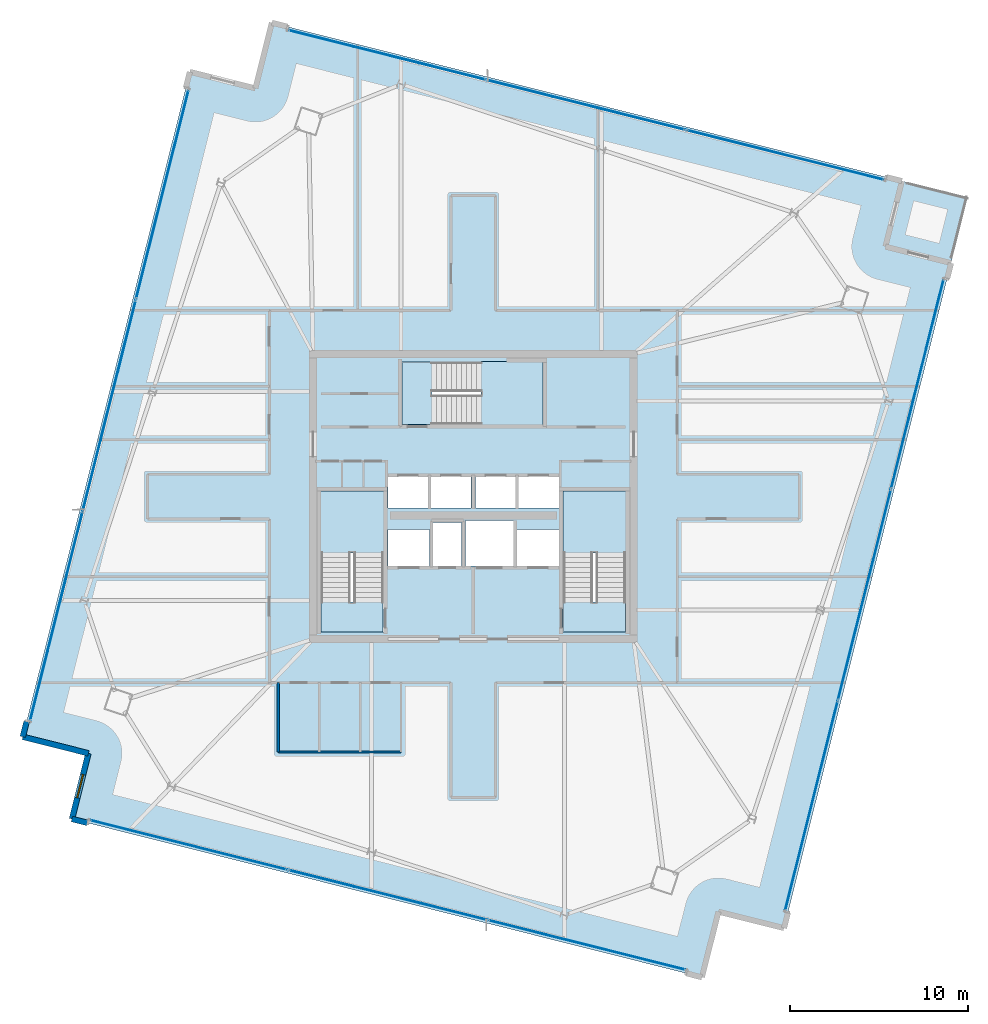
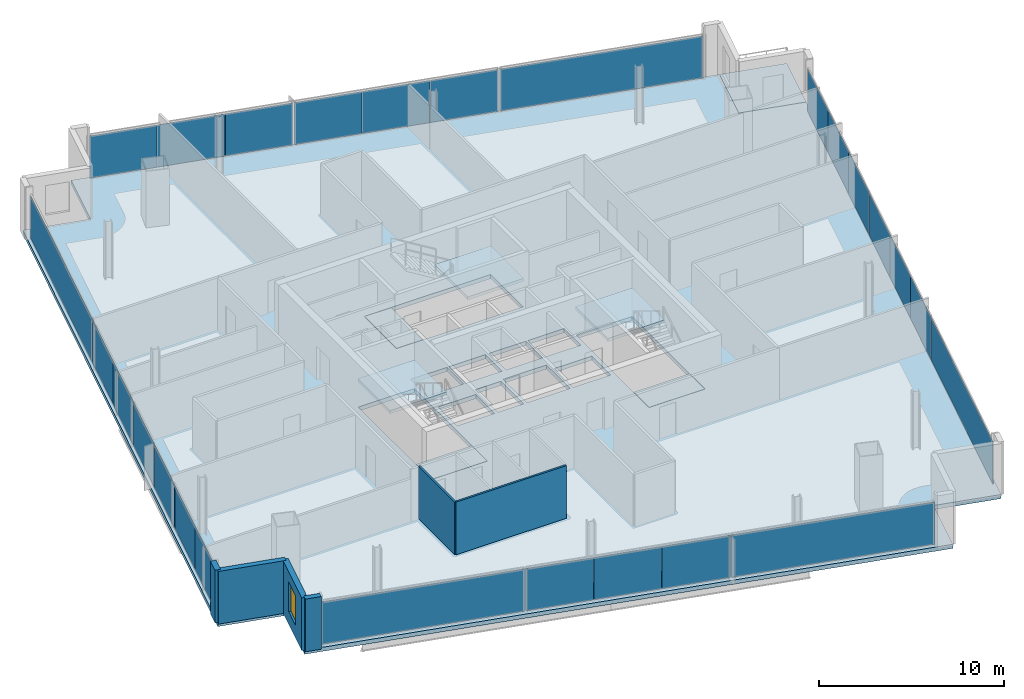
# One storey, part 19 of 28: 26 plates, 8 slabs, 6 walls, 1 window, 1 opening, 7 elements without a shape of their own.
"""IFC4 building model written with IfcOpenShell, lengths in metres."""

from ifc_helpers import new_model, si_unit, direction, frame, frame_2d, origin, origin_2d, place, context, subcontext, project, spatial, polyline, rectangle, outline, extrude, source, transform, mapped, material, layer, layer_set, type_object, element, fill, aggregate, save


model = new_model("IFC4")

# Units and contexts
model_context = context("Model", 3, precision=1e-05, world=origin(), true_north=direction((0.0, 1.0)))
body_context = subcontext(model_context, "Body", "Model", "MODEL_VIEW")
ifc_project = project(units=[si_unit("LENGTHUNIT", "METRE"), si_unit("AREAUNIT", "SQUARE_METRE"), si_unit("VOLUMEUNIT", "CUBIC_METRE"), si_unit("PLANEANGLEUNIT", "RADIAN"), si_unit("MASSUNIT", "GRAM", prefix="KILO")], contexts=[model_context])

# Site, building, storey
site_placement = place(None, origin())
site = spatial("IfcSite", under=ifc_project, at=site_placement, CompositionType="ELEMENT")
building_placement = place(site_placement, origin())
building = spatial("IfcBuilding", under=site, at=building_placement, Name="Haldenkirk Collegiate Tower", CompositionType="ELEMENT")
storey_placement = place(building_placement, frame((0.0, 0.0, 282.449951171875)))
storey = spatial("IfcBuildingStorey", under=building, at=storey_placement, Name="L71", CompositionType="ELEMENT", Elevation=282.449951171875)

# Slab
ifc_material_1 = material(Name="Concrete f'c 40 MPa", Category="concrete")
ifc_layer_1 = layer(ifc_material_1, 0.27001953125)
ifc_layer_set_1 = layer_set([ifc_layer_1], Name="Concrete f'c 40 MPa")
slab_type_1 = type_object("IfcSlabType", Name="SLB-FLR-270", PredefinedType="FLOOR", material=ifc_layer_set_1)
slab_1_placement = place(storey_placement, frame((0.0, 0.0, -0.27001953125)))
element("IfcSlab", 1, at=slab_1_placement, inside=storey, type_object=slab_type_1, Name="L71 composite structural floor slab", PredefinedType="FLOOR", context=body_context, shape_type="SweptSolid", body=[
    extrude(outline(polyline([(53.44775390625, 1.76953125), (62.826904296875, 39.109619140625), (59.141357421875, 40.035400390625), (60.067138671875, 43.720703125), (24.691162109375, 52.606689453125), (23.765380859375, 48.921142578125), (20.079833984375, 49.846923828125), (10.70068359375, 12.5068359375), (14.385986328125, 11.5810546875), (13.46044921875, 7.8955078125), (48.83642578125, -0.990234375), (49.76220703125, 2.6953125), (53.44775390625, 1.76953125)]), holes=[polyline([(27.449951171875, 18.39990234375), (30.949951171875, 18.39990234375), (30.949951171875, 26.300048828125), (27.449951171875, 26.300048828125), (27.449951171875, 18.39990234375)]), polyline([(41.050048828125, 18.39990234375), (44.550048828125, 18.39990234375), (44.550048828125, 26.300048828125), (41.050048828125, 26.300048828125), (41.050048828125, 18.39990234375)]), polyline([(32.0, 30.050048828125), (39.89990234375, 30.050048828125), (39.89990234375, 33.550048828125), (32.0, 33.550048828125), (32.0, 30.050048828125)]), polyline([(33.75, 22.10009765625), (35.35009765625, 22.10009765625), (35.35009765625, 24.550048828125), (33.75, 24.550048828125), (33.75, 22.10009765625)]), polyline([(31.199951171875, 25.35009765625), (33.47998046875, 25.35009765625), (33.47998046875, 27.14990234375), (31.199951171875, 27.14990234375), (31.199951171875, 25.35009765625)]), polyline([(33.60009765625, 25.35009765625), (35.8798828125, 25.35009765625), (35.8798828125, 27.14990234375), (33.60009765625, 27.14990234375), (33.60009765625, 25.35009765625)]), polyline([(36.1201171875, 25.35009765625), (38.39990234375, 25.35009765625), (38.39990234375, 27.14990234375), (36.1201171875, 27.14990234375), (36.1201171875, 25.35009765625)]), polyline([(38.52001953125, 25.35009765625), (40.800048828125, 25.35009765625), (40.800048828125, 27.14990234375), (38.52001953125, 27.14990234375), (38.52001953125, 25.35009765625)]), polyline([(31.199951171875, 22.10009765625), (33.550048828125, 22.10009765625), (33.550048828125, 24.14990234375), (31.199951171875, 24.14990234375), (31.199951171875, 22.10009765625)]), polyline([(38.449951171875, 22.10009765625), (40.800048828125, 22.10009765625), (40.800048828125, 24.14990234375), (38.449951171875, 24.14990234375), (38.449951171875, 22.10009765625)]), polyline([(35.550048828125, 22.10009765625), (38.25, 22.10009765625), (38.25, 24.64990234375), (35.550048828125, 24.64990234375), (35.550048828125, 22.10009765625)])]), origin(), (0.0, 0.0, 1.0), 0.27001953125),
])

# Stair, slab
stair_type = type_object("IfcStairType", Name="STR-DOGLEG-1650", PredefinedType="HALF_TURN_STAIR", material=ifc_material_1)
stair_1_placement = place(storey_placement, origin())
stair_1 = element("IfcStair", 2, at=stair_1_placement, inside=storey, type_object=stair_type, Name="L71 Core Exit Stair ST-1", PredefinedType="HALF_TURN_STAIR")
ifc_layer_2 = layer(ifc_material_1, 0.199951171875)
ifc_layer_set_2 = layer_set([ifc_layer_2], Name="Concrete f'c 40 MPa")
slab_type_2 = type_object("IfcSlabType", Name="SLB-LANDING-200", PredefinedType="LANDING", material=ifc_layer_set_2)
slab_2_placement = place(storey_placement, frame((0.0, 0.0, 1.675048828125)))
slab_2 = element("IfcSlab", 3, at=slab_2_placement, type_object=slab_type_2, Name="ST-1 landing 1", PredefinedType="LANDING", context=body_context, shape_type="SweptSolid", body=[
    extrude(outline(polyline([(30.97509765625, 22.824951171875), (27.425048828125, 22.824951171875), (27.425048828125, 26.324951171875), (30.97509765625, 26.324951171875), (30.97509765625, 22.824951171875)])), origin(), (0.0, 0.0, 1.0), 0.199951171875),
])
aggregate(stair_1, [slab_2])

stair_2_placement = place(storey_placement, origin())
stair_2 = element("IfcStair", 4, at=stair_2_placement, inside=storey, type_object=stair_type, Name="L71 Core Exit Stair ST-2", PredefinedType="HALF_TURN_STAIR")
slab_3_placement = place(storey_placement, frame((0.0, 0.0, 1.675048828125)))
slab_3 = element("IfcSlab", 5, at=slab_3_placement, type_object=slab_type_2, Name="ST-2 landing 1", PredefinedType="LANDING", context=body_context, shape_type="SweptSolid", body=[
    extrude(outline(polyline([(44.574951171875, 22.824951171875), (41.02490234375, 22.824951171875), (41.02490234375, 26.324951171875), (44.574951171875, 26.324951171875), (44.574951171875, 22.824951171875)])), origin(), (0.0, 0.0, 1.0), 0.199951171875),
])
aggregate(stair_2, [slab_3])

stair_3_placement = place(storey_placement, origin())
stair_3 = element("IfcStair", 6, at=stair_3_placement, inside=storey, type_object=stair_type, Name="L71 Core Exit Stair ST-3", PredefinedType="HALF_TURN_STAIR")
slab_4_placement = place(storey_placement, frame((0.0, 0.0, 1.675048828125)))
slab_4 = element("IfcSlab", 7, at=slab_4_placement, type_object=slab_type_2, Name="ST-3 landing 1", PredefinedType="LANDING", context=body_context, shape_type="SweptSolid", body=[
    extrude(outline(polyline([(36.425048828125, 30.02490234375), (36.425048828125, 33.574951171875), (39.925048828125, 33.574951171875), (39.925048828125, 30.02490234375), (36.425048828125, 30.02490234375)])), origin(), (0.0, 0.0, 1.0), 0.199951171875),
])
aggregate(stair_3, [slab_4])

# Slabs
ifc_layer_3 = layer(ifc_material_1, 0.25)
ifc_layer_set_3 = layer_set([ifc_layer_3], Name="Concrete f'c 40 MPa")
slab_type_3 = type_object("IfcSlabType", Name="SLB-STAIRLAND-250", PredefinedType="LANDING", material=ifc_layer_set_3)
slab_5_placement = place(storey_placement, frame((0.0, 0.0, -0.25)))
element("IfcSlab", 8, at=slab_5_placement, inside=storey, type_object=slab_type_3, Name="L71 stair ST1 structural floor landing slab", PredefinedType="LANDING", context=body_context, shape_type="SweptSolid", body=[
    extrude(outline(polyline([(27.4599609375, 18.409912109375), (30.93994140625, 18.409912109375), (30.93994140625, 20.080078125), (27.4599609375, 20.080078125), (27.4599609375, 18.409912109375)])), origin(), (0.0, 0.0, 1.0), 0.25),
])
slab_6_placement = place(storey_placement, frame((0.0, 0.0, -0.25)))
element("IfcSlab", 9, at=slab_6_placement, inside=storey, type_object=slab_type_3, Name="L71 stair ST2 structural floor landing slab", PredefinedType="LANDING", context=body_context, shape_type="SweptSolid", body=[
    extrude(outline(polyline([(41.06005859375, 18.409912109375), (44.5400390625, 18.409912109375), (44.5400390625, 20.080078125), (41.06005859375, 20.080078125), (41.06005859375, 18.409912109375)])), origin(), (0.0, 0.0, 1.0), 0.25),
])
slab_7_placement = place(storey_placement, frame((0.0, 0.0, -0.25)))
element("IfcSlab", 10, at=slab_7_placement, inside=storey, type_object=slab_type_3, Name="L71 stair ST3 structural floor landing slab", PredefinedType="LANDING", context=body_context, shape_type="SweptSolid", body=[
    extrude(outline(polyline([(32.010009765625, 30.06005859375), (33.679931640625, 30.06005859375), (33.679931640625, 33.5400390625), (32.010009765625, 33.5400390625), (32.010009765625, 30.06005859375)])), origin(), (0.0, 0.0, 1.0), 0.25),
])
ifc_layer_4 = layer(ifc_material_1, 0.22998046875)
ifc_layer_set_4 = layer_set([ifc_layer_4], Name="Concrete f'c 40 MPa")
slab_type_4 = type_object("IfcSlabType", Name="SLB-TERR-SPIRAL-230", PredefinedType="FLOOR", material=ifc_layer_set_4)
slab_8_placement = place(storey_placement, frame((0.0, 0.0, -0.22998046875)))
element("IfcSlab", 11, at=slab_8_placement, inside=storey, type_object=slab_type_4, Name="L71 spiralling corner terrace slab", PredefinedType="FLOOR", context=body_context, shape_type="SweptSolid", body=[
    extrude(outline(polyline([(62.826904296875, 39.109619140625), (63.752685546875, 42.794921875), (60.067138671875, 43.720703125), (59.141357421875, 40.035400390625), (62.826904296875, 39.109619140625)])), origin(), (0.0, 0.0, 1.0), 0.22998046875),
])

# Curtain wall, plates
ifc_material_2 = material(Name="Anodised architectural bronze aluminium", Category="aluminium")
curtain_wall_type_1 = type_object("IfcCurtainWallType", Name="CW-SYS2-CONCAVE", PredefinedType="USERDEFINED", material=ifc_material_2)
curtain_wall_1_placement = place(storey_placement, origin())
curtain_wall_1 = element("IfcCurtainWall", 12, at=curtain_wall_1_placement, inside=storey, type_object=curtain_wall_type_1, Name="L71 South concave recessed bronze-anodised curtain wall", ObjectType="UNITISED CURTAIN WALL", PredefinedType="USERDEFINED")
ifc_material_3 = material(Name="Low-E argon triple insulating glass", Category="glass")
ifc_layer_5 = layer(ifc_material_3, 0.0419921875)
ifc_layer_set_5 = layer_set([ifc_layer_5], Name="Low-E argon triple insulating glass")
plate_type_1 = type_object("IfcPlateType", Name="CW-PNL-02", PredefinedType="CURTAIN_PANEL", material=ifc_layer_set_5)
shared_shape_1 = source(origin(), body_context, "Body", "SweptSolid", [
    extrude(rectangle(XDim=4.02783203125, YDim=0.0419921875, at=origin_2d()), origin(), (0.0, 0.0, 1.0), 2.7880859375),
])
plate_1_placement = place(storey_placement, frame((61.924072265625, 36.254638671875, 0.074951171875), z_axis=(0.0, 0.0, 1.0), x_axis=(-0.243613856588, -0.96987230545, 0.0)))
plate_1 = element("IfcPlate", 13, at=plate_1_placement, type_object=plate_type_1, Name="CW-02 panel 1.1a", PredefinedType="CURTAIN_PANEL", context=body_context, shape_type="MappedRepresentation", body=[
    mapped(shared_shape_1, transform((0.0, 0.0, 0.0), x_axis=(1.0, 0.0, 0.0), y_axis=(0.0, 1.0, 0.0), z_axis=(0.0, 0.0, 1.0), scale=1.0)),
])
ifc_material_4 = material(Name="Bronze-anodised insulated aluminium spandrel panel", Category="aluminium")
ifc_layer_6 = layer(ifc_material_4, 0.0419921875)
ifc_layer_set_6 = layer_set([ifc_layer_6], Name="Bronze-anodised insulated aluminium spandrel panel")
plate_type_2 = type_object("IfcPlateType", Name="CW-SPD-02", PredefinedType="CURTAIN_PANEL", material=ifc_layer_set_6)
plate_2_placement = place(storey_placement, frame((59.952392578125, 28.4052734375, 0.074951171875), z_axis=(0.0, 0.0, 1.0), x_axis=(-0.243613856588, -0.96987230545, 0.0)))
plate_2 = element("IfcPlate", 14, at=plate_2_placement, type_object=plate_type_2, Name="CW-02 spandrel panel 1.1c", PredefinedType="CURTAIN_PANEL", context=body_context, shape_type="MappedRepresentation", body=[
    mapped(shared_shape_1, transform((0.0, 0.0, 0.0), x_axis=(1.0, 0.0, 0.0), y_axis=(0.0, 1.0, 0.0), z_axis=(0.0, 0.0, 1.0), scale=1.0)),
])
plate_3_placement = place(storey_placement, frame((57.962646484375, 20.4833984375, 0.074951171875), z_axis=(0.0, 0.0, 1.0), x_axis=(-0.243613856588, -0.96987230545, 0.0)))
plate_3 = element("IfcPlate", 15, at=plate_3_placement, type_object=plate_type_2, Name="CW-02 spandrel panel 2.1b", PredefinedType="CURTAIN_PANEL", context=body_context, shape_type="MappedRepresentation", body=[
    mapped(shared_shape_1, transform((0.0, 0.0, 0.0), x_axis=(1.0, 0.0, 0.0), y_axis=(0.0, 1.0, 0.0), z_axis=(0.0, 0.0, 1.0), scale=1.0)),
])
shared_shape_2 = source(origin(), body_context, "Body", "SweptSolid", [
    extrude(rectangle(XDim=4.015380859375, YDim=0.0419921875, at=origin_2d()), origin(), (0.0, 0.0, 1.0), 2.7880859375),
])
plate_4_placement = place(storey_placement, frame((60.938232421875, 32.329833984375, 0.074951171875), z_axis=(0.0, 0.0, 1.0), x_axis=(-0.243613856588, -0.96987230545, 0.0)))
plate_4 = element("IfcPlate", 16, at=plate_4_placement, type_object=plate_type_1, Name="CW-02 panel 1.1b", PredefinedType="CURTAIN_PANEL", context=body_context, shape_type="MappedRepresentation", body=[
    mapped(shared_shape_2, transform((0.0, 0.0, 0.0), x_axis=(1.0, 0.0, 0.0), y_axis=(0.0, 1.0, 0.0), z_axis=(0.0, 0.0, 1.0), scale=1.0)),
])
shared_shape_3 = source(origin(), body_context, "Body", "SweptSolid", [
    extrude(rectangle(XDim=4.040283203125, YDim=0.0419921875, at=origin_2d()), origin(), (0.0, 0.0, 1.0), 2.7880859375),
])
plate_5_placement = place(storey_placement, frame((58.951416015625, 24.420166015625, 0.074951171875), z_axis=(0.0, 0.0, 1.0), x_axis=(-0.243613856588, -0.96987230545, 0.0)))
plate_5 = element("IfcPlate", 17, at=plate_5_placement, type_object=plate_type_2, Name="CW-02 spandrel panel 2.1a", PredefinedType="CURTAIN_PANEL", context=body_context, shape_type="MappedRepresentation", body=[
    mapped(shared_shape_3, transform((0.0, 0.0, 0.0), x_axis=(1.0, 0.0, 0.0), y_axis=(0.0, 1.0, 0.0), z_axis=(0.0, 0.0, 1.0), scale=1.0)),
])
plate_6_placement = place(storey_placement, frame((56.973876953125, 16.546630859375, 0.074951171875), z_axis=(0.0, 0.0, 1.0), x_axis=(-0.243613856588, -0.96987230545, 0.0)))
plate_6 = element("IfcPlate", 18, at=plate_6_placement, type_object=plate_type_2, Name="CW-02 spandrel panel 2.1c", PredefinedType="CURTAIN_PANEL", context=body_context, shape_type="MappedRepresentation", body=[
    mapped(shared_shape_3, transform((0.0, 0.0, 0.0), x_axis=(1.0, 0.0, 0.0), y_axis=(0.0, 1.0, 0.0), z_axis=(0.0, 0.0, 1.0), scale=1.0)),
])

curtain_wall_type_2 = type_object("IfcCurtainWallType", Name="CW-SYS1B-CONVEX-HI", PredefinedType="USERDEFINED", material=ifc_material_2)
curtain_wall_2_placement = place(storey_placement, origin())
curtain_wall_2 = element("IfcCurtainWall", 19, at=curtain_wall_2_placement, inside=storey, type_object=curtain_wall_type_2, Name="L71 Upper tower high-wind convex bronze unitised curtain wall", ObjectType="UNITISED CURTAIN WALL", PredefinedType="USERDEFINED")
ifc_layer_7 = layer(ifc_material_3, 0.048095703125)
ifc_layer_set_7 = layer_set([ifc_layer_7], Name="Low-E argon triple insulating glass")
plate_type_3 = type_object("IfcPlateType", Name="CW-PNL-1B", PredefinedType="CURTAIN_PANEL", material=ifc_layer_set_7)
shared_shape_4 = source(origin(), body_context, "Body", "SweptSolid", [
    extrude(rectangle(XDim=3.7978515625, YDim=0.048095703125, at=origin_2d()), origin(), (0.0, 0.0, 1.0), 2.76806640625),
])
plate_7_placement = place(storey_placement, frame((27.444091796875, 51.7294921875, 0.0849609375), z_axis=(0.0, 0.0, 1.0), x_axis=(0.969872849103, -0.243611692191, 0.0)))
plate_7 = element("IfcPlate", 20, at=plate_7_placement, type_object=plate_type_3, Name="CW-1B panel 1.1a", PredefinedType="CURTAIN_PANEL", context=body_context, shape_type="MappedRepresentation", body=[
    mapped(shared_shape_4, transform((0.0, 0.0, 0.0), x_axis=(1.0, 0.0, 0.0), y_axis=(0.0, 1.0, 0.0), z_axis=(0.0, 0.0, 1.0), scale=1.0)),
])
ifc_layer_8 = layer(ifc_material_4, 0.048095703125)
ifc_layer_set_8 = layer_set([ifc_layer_8], Name="Bronze-anodised insulated aluminium spandrel panel")
plate_type_4 = type_object("IfcPlateType", Name="CW-SPD-1B", PredefinedType="CURTAIN_PANEL", material=ifc_layer_set_8)
plate_8_placement = place(storey_placement, frame((34.847412109375, 49.869873046875, 0.0849609375), z_axis=(0.0, 0.0, 1.0), x_axis=(0.969872849103, -0.243611692191, 0.0)))
plate_8 = element("IfcPlate", 21, at=plate_8_placement, type_object=plate_type_4, Name="CW-1B spandrel panel 1.1c", PredefinedType="CURTAIN_PANEL", context=body_context, shape_type="MappedRepresentation", body=[
    mapped(shared_shape_4, transform((0.0, 0.0, 0.0), x_axis=(1.0, 0.0, 0.0), y_axis=(0.0, 1.0, 0.0), z_axis=(0.0, 0.0, 1.0), scale=1.0)),
])
shared_shape_5 = source(origin(), body_context, "Body", "SweptSolid", [
    extrude(rectangle(XDim=3.785400390625, YDim=0.048095703125, at=origin_2d()), origin(), (0.0, 0.0, 1.0), 2.76806640625),
])
plate_9_placement = place(storey_placement, frame((31.145751953125, 50.7998046875, 0.0849609375), z_axis=(0.0, 0.0, 1.0), x_axis=(0.969872849103, -0.243611692191, 0.0)))
plate_9 = element("IfcPlate", 22, at=plate_9_placement, type_object=plate_type_3, Name="CW-1B panel 1.1b", PredefinedType="CURTAIN_PANEL", context=body_context, shape_type="MappedRepresentation", body=[
    mapped(shared_shape_5, transform((0.0, 0.0, 0.0), x_axis=(1.0, 0.0, 0.0), y_axis=(0.0, 1.0, 0.0), z_axis=(0.0, 0.0, 1.0), scale=1.0)),
])
shared_shape_6 = source(origin(), body_context, "Body", "SweptSolid", [
    extrude(rectangle(XDim=3.81201171875, YDim=0.048095703125, at=origin_2d()), origin(), (0.0, 0.0, 1.0), 2.76806640625),
])
plate_10_placement = place(storey_placement, frame((38.619873046875, 48.92236328125, 0.0849609375), z_axis=(0.0, 0.0, 1.0), x_axis=(0.969872849103, -0.243611692191, 0.0)))
plate_10 = element("IfcPlate", 23, at=plate_10_placement, type_object=plate_type_4, Name="CW-1B spandrel panel 2.1a", PredefinedType="CURTAIN_PANEL", context=body_context, shape_type="MappedRepresentation", body=[
    mapped(shared_shape_6, transform((0.0, 0.0, 0.0), x_axis=(1.0, 0.0, 0.0), y_axis=(0.0, 1.0, 0.0), z_axis=(0.0, 0.0, 1.0), scale=1.0)),
])
plate_11_placement = place(storey_placement, frame((46.050537109375, 47.055908203125, 0.0849609375), z_axis=(0.0, 0.0, 1.0), x_axis=(0.969872849103, -0.243611692191, 0.0)))
plate_11 = element("IfcPlate", 24, at=plate_11_placement, type_object=plate_type_3, Name="CW-1B panel 2.1c", PredefinedType="CURTAIN_PANEL", context=body_context, shape_type="MappedRepresentation", body=[
    mapped(shared_shape_6, transform((0.0, 0.0, 0.0), x_axis=(1.0, 0.0, 0.0), y_axis=(0.0, 1.0, 0.0), z_axis=(0.0, 0.0, 1.0), scale=1.0)),
])

curtain_wall_3_placement = place(storey_placement, origin())
curtain_wall_3 = element("IfcCurtainWall", 25, at=curtain_wall_3_placement, inside=storey, type_object=curtain_wall_type_2, Name="L71 Upper tower high-wind convex bronze unitised curtain wall", ObjectType="UNITISED CURTAIN WALL", PredefinedType="USERDEFINED")
plate_12_placement = place(storey_placement, frame((34.90771484375, 2.694091796875, 0.0849609375), z_axis=(0.0, 0.0, 1.0), x_axis=(-0.969873020252, 0.24361101081, 0.0)))
plate_12 = element("IfcPlate", 26, at=plate_12_placement, type_object=plate_type_4, Name="CW-1B spandrel panel 2.1a", PredefinedType="CURTAIN_PANEL", context=body_context, shape_type="MappedRepresentation", body=[
    mapped(shared_shape_6, transform((0.0, 0.0, 0.0), x_axis=(1.0, 0.0, 0.0), y_axis=(0.0, 1.0, 0.0), z_axis=(0.0, 0.0, 1.0), scale=1.0)),
])
plate_13_placement = place(storey_placement, frame((27.47705078125, 4.560302734375, 0.0849609375), z_axis=(0.0, 0.0, 1.0), x_axis=(-0.969873020252, 0.24361101081, 0.0)))
plate_13 = element("IfcPlate", 27, at=plate_13_placement, type_object=plate_type_4, Name="CW-1B spandrel panel 2.1c", PredefinedType="CURTAIN_PANEL", context=body_context, shape_type="MappedRepresentation", body=[
    mapped(shared_shape_6, transform((0.0, 0.0, 0.0), x_axis=(1.0, 0.0, 0.0), y_axis=(0.0, 1.0, 0.0), z_axis=(0.0, 0.0, 1.0), scale=1.0)),
])

# Plate
shared_shape_7 = source(origin(), body_context, "Body", "SweptSolid", [
    extrude(rectangle(XDim=3.79931640625, YDim=0.048095703125, at=origin_2d()), origin(), (0.0, 0.0, 1.0), 2.76806640625),
])
plate_14_placement = place(storey_placement, frame((42.335205078125, 47.989013671875, 0.0849609375), z_axis=(0.0, 0.0, 1.0), x_axis=(0.969872849103, -0.243611692191, 0.0)))
plate_14 = element("IfcPlate", 28, at=plate_14_placement, type_object=plate_type_4, Name="CW-1B spandrel panel 2.1b", PredefinedType="CURTAIN_PANEL", context=body_context, shape_type="MappedRepresentation", body=[
    mapped(shared_shape_7, transform((0.0, 0.0, 0.0), x_axis=(1.0, 0.0, 0.0), y_axis=(0.0, 1.0, 0.0), z_axis=(0.0, 0.0, 1.0), scale=1.0)),
])

plate_15_placement = place(storey_placement, frame((31.1923828125, 3.627197265625, 0.0849609375), z_axis=(0.0, 0.0, 1.0), x_axis=(-0.969873020252, 0.24361101081, 0.0)))
plate_15 = element("IfcPlate", 29, at=plate_15_placement, type_object=plate_type_4, Name="CW-1B spandrel panel 2.1b", PredefinedType="CURTAIN_PANEL", context=body_context, shape_type="MappedRepresentation", body=[
    mapped(shared_shape_7, transform((0.0, 0.0, 0.0), x_axis=(1.0, 0.0, 0.0), y_axis=(0.0, 1.0, 0.0), z_axis=(0.0, 0.0, 1.0), scale=1.0)),
])

# Curtain wall, plates
curtain_wall_4_placement = place(storey_placement, origin())
curtain_wall_4 = element("IfcCurtainWall", 30, at=curtain_wall_4_placement, inside=storey, type_object=curtain_wall_type_2, Name="L71 Upper tower high-wind convex bronze unitised curtain wall", ObjectType="UNITISED CURTAIN WALL", PredefinedType="USERDEFINED")
shared_shape_8 = source(origin(), body_context, "Body", "SweptSolid", [
    extrude(rectangle(XDim=4.022705078125, YDim=0.048095703125, at=origin_2d()), origin(), (0.0, 0.0, 1.0), 2.76806640625),
])
plate_16_placement = place(storey_placement, frame((11.605224609375, 15.368896484375, 0.0849609375), z_axis=(0.0, 0.0, 1.0), x_axis=(0.243613212786, 0.969872467161, 0.0)))
plate_16 = element("IfcPlate", 31, at=plate_16_placement, type_object=plate_type_3, Name="CW-1B panel 1.1a", PredefinedType="CURTAIN_PANEL", context=body_context, shape_type="MappedRepresentation", body=[
    mapped(shared_shape_8, transform((0.0, 0.0, 0.0), x_axis=(1.0, 0.0, 0.0), y_axis=(0.0, 1.0, 0.0), z_axis=(0.0, 0.0, 1.0), scale=1.0)),
])
plate_17_placement = place(storey_placement, frame((13.57421875, 23.20849609375, 0.0849609375), z_axis=(0.0, 0.0, 1.0), x_axis=(0.243613212786, 0.969872467161, 0.0)))
plate_17 = element("IfcPlate", 32, at=plate_17_placement, type_object=plate_type_4, Name="CW-1B spandrel panel 1.1c", PredefinedType="CURTAIN_PANEL", context=body_context, shape_type="MappedRepresentation", body=[
    mapped(shared_shape_8, transform((0.0, 0.0, 0.0), x_axis=(1.0, 0.0, 0.0), y_axis=(0.0, 1.0, 0.0), z_axis=(0.0, 0.0, 1.0), scale=1.0)),
])
shared_shape_9 = source(origin(), body_context, "Body", "SweptSolid", [
    extrude(rectangle(XDim=4.01025390625, YDim=0.048095703125, at=origin_2d()), origin(), (0.0, 0.0, 1.0), 2.76806640625),
])
plate_18_placement = place(storey_placement, frame((12.58984375, 19.288818359375, 0.0849609375), z_axis=(0.0, 0.0, 1.0), x_axis=(0.243613212786, 0.969872467161, 0.0)))
plate_18 = element("IfcPlate", 33, at=plate_18_placement, type_object=plate_type_3, Name="CW-1B panel 1.1b", PredefinedType="CURTAIN_PANEL", context=body_context, shape_type="MappedRepresentation", body=[
    mapped(shared_shape_9, transform((0.0, 0.0, 0.0), x_axis=(1.0, 0.0, 0.0), y_axis=(0.0, 1.0, 0.0), z_axis=(0.0, 0.0, 1.0), scale=1.0)),
])
shared_shape_10 = source(origin(), body_context, "Body", "SweptSolid", [
    extrude(rectangle(XDim=4.036865234375, YDim=0.048095703125, at=origin_2d()), origin(), (0.0, 0.0, 1.0), 2.76806640625),
])
plate_19_placement = place(storey_placement, frame((14.576904296875, 27.199462890625, 0.0849609375), z_axis=(0.0, 0.0, 1.0), x_axis=(0.243613212786, 0.969872467161, 0.0)))
plate_19 = element("IfcPlate", 34, at=plate_19_placement, type_object=plate_type_4, Name="CW-1B spandrel panel 2.1a", PredefinedType="CURTAIN_PANEL", context=body_context, shape_type="MappedRepresentation", body=[
    mapped(shared_shape_10, transform((0.0, 0.0, 0.0), x_axis=(1.0, 0.0, 0.0), y_axis=(0.0, 1.0, 0.0), z_axis=(0.0, 0.0, 1.0), scale=1.0)),
])
plate_20_placement = place(storey_placement, frame((16.552734375, 35.06640625, 0.0849609375), z_axis=(0.0, 0.0, 1.0), x_axis=(0.243613212786, 0.969872467161, 0.0)))
plate_20 = element("IfcPlate", 35, at=plate_20_placement, type_object=plate_type_3, Name="CW-1B panel 2.1c", PredefinedType="CURTAIN_PANEL", context=body_context, shape_type="MappedRepresentation", body=[
    mapped(shared_shape_10, transform((0.0, 0.0, 0.0), x_axis=(1.0, 0.0, 0.0), y_axis=(0.0, 1.0, 0.0), z_axis=(0.0, 0.0, 1.0), scale=1.0)),
])
shared_shape_11 = source(origin(), body_context, "Body", "SweptSolid", [
    extrude(rectangle(XDim=4.0244140625, YDim=0.048095703125, at=origin_2d()), origin(), (0.0, 0.0, 1.0), 2.76806640625),
])
plate_21_placement = place(storey_placement, frame((15.564697265625, 31.133056640625, 0.0849609375), z_axis=(0.0, 0.0, 1.0), x_axis=(0.243613212786, 0.969872467161, 0.0)))
plate_21 = element("IfcPlate", 36, at=plate_21_placement, type_object=plate_type_4, Name="CW-1B spandrel panel 2.1b", PredefinedType="CURTAIN_PANEL", context=body_context, shape_type="MappedRepresentation", body=[
    mapped(shared_shape_11, transform((0.0, 0.0, 0.0), x_axis=(1.0, 0.0, 0.0), y_axis=(0.0, 1.0, 0.0), z_axis=(0.0, 0.0, 1.0), scale=1.0)),
])

# Plate
shared_shape_12 = source(origin(), body_context, "Body", "SweptSolid", [
    extrude(rectangle(XDim=12.120849609375, YDim=0.0419921875, at=origin_2d()), origin(), (0.0, 0.0, 1.0), 2.7880859375),
])
plate_22_placement = place(storey_placement, frame((54.987060546875, 8.636962890625, 0.074951171875), z_axis=(0.0, 0.0, 1.0), x_axis=(-0.243613856588, -0.96987230545, 0.0)))
plate_22 = element("IfcPlate", 37, at=plate_22_placement, type_object=plate_type_1, Name="CW-02 panel 3.1", PredefinedType="CURTAIN_PANEL", context=body_context, shape_type="MappedRepresentation", body=[
    mapped(shared_shape_12, transform((0.0, 0.0, 0.0), x_axis=(1.0, 0.0, 0.0), y_axis=(0.0, 1.0, 0.0), z_axis=(0.0, 0.0, 1.0), scale=1.0)),
])

aggregate(curtain_wall_1, [plate_1, plate_4, plate_2, plate_5, plate_3, plate_6, plate_22])

shared_shape_13 = source(origin(), body_context, "Body", "SweptSolid", [
    extrude(rectangle(XDim=11.430908203125, YDim=0.048095703125, at=origin_2d()), origin(), (0.0, 0.0, 1.0), 2.76806640625),
])
plate_23_placement = place(storey_placement, frame((42.3818359375, 0.816650390625, 0.0849609375), z_axis=(0.0, 0.0, 1.0), x_axis=(-0.969873020252, 0.24361101081, 0.0)))
plate_23 = element("IfcPlate", 38, at=plate_23_placement, type_object=plate_type_3, Name="CW-1B panel 1.1", PredefinedType="CURTAIN_PANEL", context=body_context, shape_type="MappedRepresentation", body=[
    mapped(shared_shape_13, transform((0.0, 0.0, 0.0), x_axis=(1.0, 0.0, 0.0), y_axis=(0.0, 1.0, 0.0), z_axis=(0.0, 0.0, 1.0), scale=1.0)),
])

plate_24_placement = place(storey_placement, frame((20.0029296875, 6.437744140625, 0.0849609375), z_axis=(0.0, 0.0, 1.0), x_axis=(-0.969873020252, 0.24361101081, 0.0)))
plate_24 = element("IfcPlate", 39, at=plate_24_placement, type_object=plate_type_3, Name="CW-1B panel 3.1", PredefinedType="CURTAIN_PANEL", context=body_context, shape_type="MappedRepresentation", body=[
    mapped(shared_shape_13, transform((0.0, 0.0, 0.0), x_axis=(1.0, 0.0, 0.0), y_axis=(0.0, 1.0, 0.0), z_axis=(0.0, 0.0, 1.0), scale=1.0)),
])

aggregate(curtain_wall_3, [plate_23, plate_12, plate_15, plate_13, plate_24])

shared_shape_14 = source(origin(), body_context, "Body", "SweptSolid", [
    extrude(rectangle(XDim=12.105712890625, YDim=0.048095703125, at=origin_2d()), origin(), (0.0, 0.0, 1.0), 2.76806640625),
])
plate_25_placement = place(storey_placement, frame((18.539794921875, 42.97705078125, 0.0849609375), z_axis=(0.0, 0.0, 1.0), x_axis=(0.243613212786, 0.969872467161, 0.0)))
plate_25 = element("IfcPlate", 40, at=plate_25_placement, type_object=plate_type_3, Name="CW-1B panel 3.1", PredefinedType="CURTAIN_PANEL", context=body_context, shape_type="MappedRepresentation", body=[
    mapped(shared_shape_14, transform((0.0, 0.0, 0.0), x_axis=(1.0, 0.0, 0.0), y_axis=(0.0, 1.0, 0.0), z_axis=(0.0, 0.0, 1.0), scale=1.0)),
])

aggregate(curtain_wall_4, [plate_16, plate_18, plate_17, plate_19, plate_21, plate_20, plate_25])

shared_shape_15 = source(origin(), body_context, "Body", "SweptSolid", [
    extrude(rectangle(XDim=11.4306640625, YDim=0.048095703125, at=origin_2d()), origin(), (0.0, 0.0, 1.0), 2.76806640625),
])
plate_26_placement = place(storey_placement, frame((53.524658203125, 45.178466796875, 0.0849609375), z_axis=(0.0, 0.0, 1.0), x_axis=(0.969872849103, -0.243611692191, 0.0)))
plate_26 = element("IfcPlate", 41, at=plate_26_placement, type_object=plate_type_3, Name="CW-1B panel 3.1", PredefinedType="CURTAIN_PANEL", context=body_context, shape_type="MappedRepresentation", body=[
    mapped(shared_shape_15, transform((0.0, 0.0, 0.0), x_axis=(1.0, 0.0, 0.0), y_axis=(0.0, 1.0, 0.0), z_axis=(0.0, 0.0, 1.0), scale=1.0)),
])

aggregate(curtain_wall_2, [plate_7, plate_9, plate_8, plate_10, plate_14, plate_11, plate_26])

# Walls
ifc_material_5 = material(Name="Precast concrete f'c 40 MPa", Category="concrete")
ifc_layer_9 = layer(ifc_material_5, 0.320068359375)
ifc_layer_set_9 = layer_set([ifc_layer_9], Name="Precast concrete f'c 40 MPa")
wall_type_1 = type_object("IfcWallType", Name="WL-EXT-TWR-320", PredefinedType="STANDARD", material=ifc_layer_set_9)
wall_1_placement = place(storey_placement, frame((10.70068359375, 12.5068359375, 0.0), z_axis=(0.0, 0.0, 1.0), x_axis=(0.24362064321, 0.969870600751, 0.0)))
element("IfcWall", 42, at=wall_1_placement, inside=storey, type_object=wall_type_1, Name="L71 precast corner pier NL", PredefinedType="STANDARD", context=body_context, shape_type="SweptSolid", body=[
    extrude(rectangle(XDim=0.89990234375, YDim=0.320068359375, at=frame_2d((0.449951171875, 0.0))), origin(), (0.0, 0.0, 1.0), 3.47998046875),
])
wall_2_placement = place(storey_placement, frame((14.385986328125, 11.5810546875, 0.0), z_axis=(0.0, 0.0, 1.0), x_axis=(-0.969865971899, 0.243639070251, 0.0)))
element("IfcWall", 43, at=wall_2_placement, inside=storey, type_object=wall_type_1, Name="L71 bronze precast notch wall 08", PredefinedType="STANDARD", context=body_context, shape_type="SweptSolid", body=[
    extrude(rectangle(XDim=3.7998046875, YDim=0.320068359375, at=frame_2d((1.89990234375, 0.0))), origin(), (0.0, 0.0, 1.0), 3.47998046875),
])

# Wall, opening, window
wall_3_placement = place(storey_placement, frame((13.46044921875, 7.8955078125, 0.0), z_axis=(0.0, 0.0, 1.0), x_axis=(0.243563453868, 0.969884964282, 0.0)))
wall_3 = element("IfcWall", 44, at=wall_3_placement, inside=storey, type_object=wall_type_1, Name="L71 bronze precast notch wall 09", PredefinedType="STANDARD", context=body_context, shape_type="SweptSolid", body=[
    extrude(rectangle(XDim=3.800048828125, YDim=0.320068359375, at=frame_2d((1.89990234375, 0.0))), origin(), (0.0, 0.0, 1.0), 3.47998046875),
])
opening_placement = place(wall_3_placement, frame((1.22509765625, 0.0, 0.85009765625)))
opening = element("IfcOpeningElement", 45, at=opening_placement, cuts=wall_3, Name="Opening W-07", PredefinedType="OPENING", context=body_context, shape_type="SweptSolid", body=[
    extrude(rectangle(XDim=1.35009765625, YDim=1.949951171875, at=frame_2d((0.675048828125, 0.97509765625))), frame((0.0, 0.169921875, 0.0), z_axis=(0.0, -1.0, 0.0), x_axis=(1.0, 0.0, 0.0)), (0.0, 0.0, 1.0), 0.340087890625),
])
ifc_layer_10 = layer(ifc_material_3, 0.090087890625)
ifc_layer_set_10 = layer_set([ifc_layer_10], Name="Low-E argon triple insulating glass")
window_type = type_object("IfcWindowType", Name="WN-Z5-1350X1950", PartitioningType="SINGLE_PANEL", PredefinedType="WINDOW", material=ifc_layer_set_10)
window_placement = place(opening_placement, origin())
window = element("IfcWindow", 46, at=window_placement, inside=storey, type_object=window_type, Name="L71 precast-frame academic window 8", OverallHeight=1.949951171875, OverallWidth=1.35009765625, PartitioningType="SINGLE_PANEL", PredefinedType="WINDOW", context=body_context, shape_type="SweptSolid", body=[
    extrude(rectangle(XDim=1.35009765625, YDim=1.949951171875, at=frame_2d((0.675048828125, 0.97509765625))), frame((0.0, 0.030029296875, 0.0), z_axis=(0.0, -1.0, 0.0), x_axis=(1.0, 0.0, 0.0)), (0.0, 0.0, 1.0), 0.06005859375),
])
fill(opening, window)

# Walls
wall_4_placement = place(storey_placement, frame((14.333251953125, 7.67626953125, 0.0), z_axis=(0.0, 0.0, 1.0), x_axis=(-0.969870600751, 0.24362064321, 0.0)))
element("IfcWall", 47, at=wall_4_placement, inside=storey, type_object=wall_type_1, Name="L71 precast corner pier WR", PredefinedType="STANDARD", context=body_context, shape_type="SweptSolid", body=[
    extrude(rectangle(XDim=0.89990234375, YDim=0.320068359375, at=frame_2d((0.449951171875, 0.0))), origin(), (0.0, 0.0, 1.0), 3.47998046875),
])
ifc_material_6 = material(Name="Acoustic fire-rated gypsum partition", Category="concrete")
ifc_layer_11 = layer(ifc_material_6, 0.1201171875)
ifc_layer_set_11 = layer_set([ifc_layer_11], Name="Acoustic fire-rated gypsum partition")
wall_type_2 = type_object("IfcWallType", Name="WL-INT-WET-120", PredefinedType="PARTITIONING", material=ifc_layer_set_11)
wall_5_placement = place(storey_placement, frame((25.050048828125, 11.64990234375, 0.0), z_axis=(0.0, 0.0, 1.0), x_axis=(0.0, 1.0, 0.0)))
element("IfcWall", 48, at=wall_5_placement, inside=storey, type_object=wall_type_2, Name="L71 interior partition IW-L71-WCW", PredefinedType="PARTITIONING", context=body_context, shape_type="SweptSolid", body=[
    extrude(rectangle(XDim=3.900146484375, YDim=0.1201171875, at=frame_2d((1.9501953125, 0.0))), origin(), (0.0, 0.0, 1.0), 3.47998046875),
])
wall_6_placement = place(storey_placement, frame((25.050048828125, 11.64990234375, 0.0), z_axis=(0.0, 0.0, 1.0), x_axis=(1.0, 0.0, 0.0)))
element("IfcWall", 49, at=wall_6_placement, inside=storey, type_object=wall_type_2, Name="L71 interior partition IW-L71-WCB", PredefinedType="PARTITIONING", context=body_context, shape_type="SweptSolid", body=[
    extrude(rectangle(XDim=6.89990234375, YDim=0.1201171875, at=frame_2d((3.449951171875, 0.0))), origin(), (0.0, 0.0, 1.0), 3.47998046875),
])

save(model, "model.ifc")
